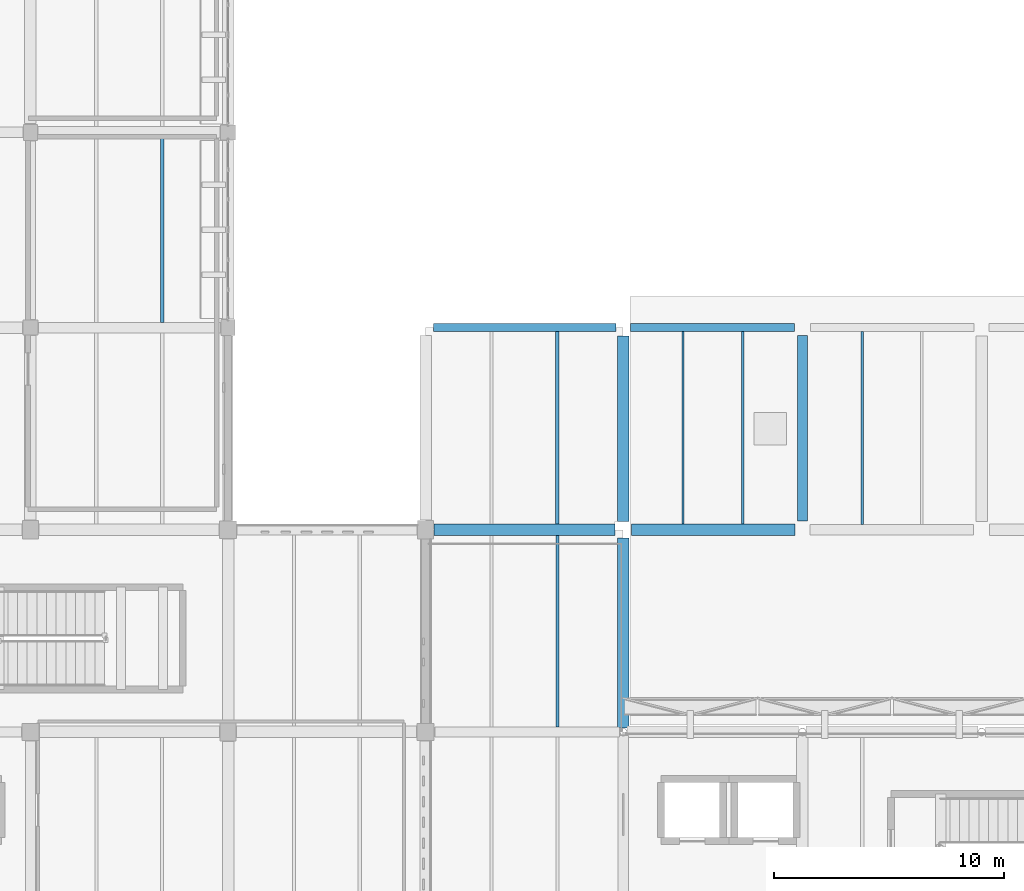
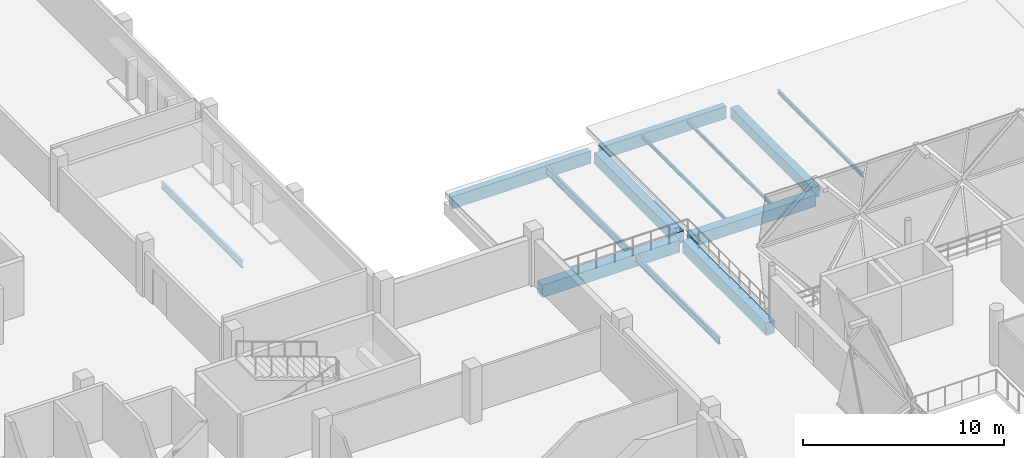
# One storey, part 19 of 93: 13 beams.
"""IFC4 building model written with IfcOpenShell, lengths in metres."""

from ifc_helpers import new_model, si_unit, direction, frame, origin, origin_2d, place, context, subcontext, project, spatial, rectangle, i_section, extrude, material, material_profile, profile_set, type_object, element, save


model = new_model("IFC4")

# Units and contexts
model_context = context("Model", 3, precision=1e-05, world=origin(), true_north=direction((0.0, 1.0)))
body_context = subcontext(model_context, "Body", "Model", "MODEL_VIEW")
ifc_project = project(units=[si_unit("LENGTHUNIT", "METRE"), si_unit("AREAUNIT", "SQUARE_METRE"), si_unit("VOLUMEUNIT", "CUBIC_METRE"), si_unit("PLANEANGLEUNIT", "RADIAN"), si_unit("MASSUNIT", "GRAM", prefix="KILO")], contexts=[model_context])

# Site, building, storey
site_placement = place(None, origin())
site = spatial("IfcSite", under=ifc_project, at=site_placement, CompositionType="ELEMENT")
building_placement = place(site_placement, origin())
building = spatial("IfcBuilding", under=site, at=building_placement, Name="Varnakota Cinema and Media Centre", CompositionType="ELEMENT")
storey_placement = place(building_placement, frame((0.0, 0.0, 12.0)))
storey = spatial("IfcBuildingStorey", under=building, at=storey_placement, Name="L03", CompositionType="ELEMENT", Elevation=12.0)

# Beams
ifc_material_1 = material(Name="Concrete M35", Category="concrete")
ifc_material_profile_1 = material_profile(ifc_material_1, rectangle(XDim=0.449951171875, YDim=0.64990234375, at=origin_2d()), Name="RCB 450x650")
ifc_profile_set_1 = profile_set([ifc_material_profile_1], Name="Concrete M35")
beam_type_1 = type_object("IfcBeamType", Name="BM-RC-450x650", PredefinedType="BEAM", material=ifc_profile_set_1)
beam_1_placement = place(storey_placement, frame((59.39990234375, 35.574951171875, -0.5849609375), z_axis=(0.0, 1.0, 0.0), x_axis=(-1.0, 0.0, 0.0)))
element("IfcBeam", 1, at=beam_1_placement, inside=storey, type_object=beam_type_1, Name="L03 girder H/5-6", PredefinedType="BEAM", context=body_context, shape_type="SweptSolid", body=[
    extrude(rectangle(XDim=0.449951171875, YDim=0.64990234375, at=origin_2d()), origin(), (0.0, 0.0, 1.0), 8.074951171875),
])
ifc_material_2 = material(Name="Concrete M35", Category="concrete")
ifc_material_profile_2 = material_profile(ifc_material_2, rectangle(XDim=0.5, YDim=0.699951171875, at=origin_2d()), Name="RCB 500x700")
ifc_profile_set_2 = profile_set([ifc_material_profile_2], Name="Concrete M35")
beam_type_2 = type_object("IfcBeamType", Name="BM-RC-500x700", PredefinedType="BEAM", material=ifc_profile_set_2)
beam_2_placement = place(storey_placement, frame((51.949951171875, 35.199951171875, -0.610107421875), z_axis=(1.0, 0.0, 0.0), x_axis=(0.0, 1.0, 0.0)))
element("IfcBeam", 2, at=beam_2_placement, inside=storey, type_object=beam_type_2, Name="L03 girder G-H/5", PredefinedType="BEAM", context=body_context, shape_type="SweptSolid", body=[
    extrude(rectangle(XDim=0.5, YDim=0.699951171875, at=origin_2d()), origin(), (0.0, 0.0, 1.0), 7.125),
])
beam_3_placement = place(storey_placement, frame((51.60009765625, 35.550048828125, -0.610107421875), z_axis=(0.0, 1.0, 0.0), x_axis=(-1.0, 0.0, 0.0)))
element("IfcBeam", 3, at=beam_3_placement, inside=storey, type_object=beam_type_2, Name="L03 girder G/5-6", PredefinedType="BEAM", context=body_context, shape_type="SweptSolid", body=[
    extrude(rectangle(XDim=0.5, YDim=0.699951171875, at=origin_2d()), origin(), (0.0, 0.0, 1.0), 8.074951171875),
])
ifc_material_3 = material(Name="Concrete M35", Category="concrete")
ifc_material_profile_3 = material_profile(ifc_material_3, rectangle(XDim=0.5, YDim=0.75, at=origin_2d()), Name="RCB 500x750")
ifc_profile_set_3 = profile_set([ifc_material_profile_3], Name="Concrete M35")
beam_type_3 = type_object("IfcBeamType", Name="BM-RC-500x750", PredefinedType="BEAM", material=ifc_profile_set_3)
beam_4_placement = place(storey_placement, frame((43.375, 35.199951171875, -0.635009765625), z_axis=(1.0, 0.0, 0.0), x_axis=(0.0, 1.0, 0.0)))
element("IfcBeam", 4, at=beam_4_placement, inside=storey, type_object=beam_type_3, Name="L03 girder F-G/5", PredefinedType="BEAM", context=body_context, shape_type="SweptSolid", body=[
    extrude(rectangle(XDim=0.5, YDim=0.75, at=origin_2d()), origin(), (0.0, 0.0, 1.0), 7.875),
])
beam_5_placement = place(storey_placement, frame((51.60009765625, 26.56201171875, -0.635009765625), z_axis=(0.0, 1.0, 0.0), x_axis=(-1.0, 0.0, 0.0)))
element("IfcBeam", 5, at=beam_5_placement, inside=storey, type_object=beam_type_3, Name="L03 girder G/4-5", PredefinedType="BEAM", context=body_context, shape_type="SweptSolid", body=[
    extrude(rectangle(XDim=0.5, YDim=0.75, at=origin_2d()), origin(), (0.0, 0.0, 1.0), 8.2880859375),
])
ifc_material_4 = material(Name="Concrete M40", Category="concrete")
ifc_material_profile_4 = material_profile(ifc_material_4, rectangle(XDim=0.35009765625, YDim=0.75, at=origin_2d()), Name="RCB 350x750")
ifc_profile_set_4 = profile_set([ifc_material_profile_4], Name="Concrete M40")
beam_type_4 = type_object("IfcBeamType", Name="BM-SP-350x750", PredefinedType="SPANDREL", material=ifc_profile_set_4)
beam_6_placement = place(storey_placement, frame((43.35009765625, 44.0, -0.635009765625), z_axis=(1.0, 0.0, 0.0), x_axis=(0.0, 1.0, 0.0)))
element("IfcBeam", 6, at=beam_6_placement, inside=storey, type_object=beam_type_4, Name="L03 girder F-G/6", PredefinedType="SPANDREL", context=body_context, shape_type="SweptSolid", body=[
    extrude(rectangle(XDim=0.35009765625, YDim=0.75, at=origin_2d()), origin(), (0.0, 0.0, 1.0), 7.9248046875),
])
beam_7_placement = place(storey_placement, frame((51.925048828125, 44.0, -0.635009765625), z_axis=(1.0, 0.0, 0.0), x_axis=(0.0, 1.0, 0.0)))
element("IfcBeam", 7, at=beam_7_placement, inside=storey, type_object=beam_type_4, Name="L03 girder G-H/6", PredefinedType="SPANDREL", context=body_context, shape_type="SweptSolid", body=[
    extrude(rectangle(XDim=0.35009765625, YDim=0.75, at=origin_2d()), origin(), (0.0, 0.0, 1.0), 7.125),
])
ifc_material_5 = material(Name="Structural steel Grade 350 (E350)", Category="steel")
ifc_material_profile_5 = material_profile(ifc_material_5, i_section(OverallWidth=0.10009765625, OverallDepth=0.199951171875, WebThickness=0.005615234375, FlangeThickness=0.0107421875, FilletRadius=0.010986328125, at=origin_2d()), Name="ISMB 200")
ifc_profile_set_5 = profile_set([ifc_material_profile_5], Name="Structural steel Grade 350 (E350)")
beam_type_5 = type_object("IfcBeamType", Name="BM-ST-ISMB200", PredefinedType="JOIST", material=ifc_profile_set_5)
for number, where, z_axis, x_axis, name in (
    (8, (54.199951171875, 35.449951171875, -0.360107421875), (0.0, 1.0, 0.0), (-1.0, 0.0, 0.0), "L03 steel joist G-H/5-6 #1"),
    (9, (56.800048828125, 35.449951171875, -0.360107421875), (0.0, 1.0, 0.0), (-1.0, 0.0, 0.0), "L03 steel joist G-H/5-6 #2"),
):
    element("IfcBeam", number, at=place(storey_placement, frame(where, z_axis=z_axis, x_axis=x_axis)), inside=storey, type_object=beam_type_5, Name=name, PredefinedType="JOIST", context=body_context, shape_type="SweptSolid", body=[
        extrude(i_section(OverallWidth=0.10009765625, OverallDepth=0.199951171875, WebThickness=0.005615234375, FlangeThickness=0.0107421875, FilletRadius=0.010986328125, at=origin_2d()), origin(), (0.0, 0.0, 1.0), 8.375),
    ])
ifc_material_6 = material(Name="Structural steel Grade 350 (E350)", Category="steel")
ifc_material_profile_6 = material_profile(ifc_material_6, i_section(OverallWidth=0.110107421875, OverallDepth=0.22509765625, WebThickness=0.006591796875, FlangeThickness=0.01171875, FilletRadius=0.011962890625, at=origin_2d()), Name="ISMB 225")
ifc_profile_set_6 = profile_set([ifc_material_profile_6], Name="Structural steel Grade 350 (E350)")
beam_type_6 = type_object("IfcBeamType", Name="BM-ST-ISMB225", PredefinedType="JOIST", material=ifc_profile_set_6)
beam_8_placement = place(storey_placement, frame((62.0, 35.425048828125, -0.37255859375), z_axis=(0.0, 1.0, 0.0), x_axis=(-1.0, 0.0, 0.0)))
element("IfcBeam", 10, at=beam_8_placement, inside=storey, type_object=beam_type_6, Name="L03 steel joist H-J/5-6 #1", PredefinedType="JOIST", context=body_context, shape_type="SweptSolid", body=[
    extrude(i_section(OverallWidth=0.110107421875, OverallDepth=0.22509765625, WebThickness=0.006591796875, FlangeThickness=0.01171875, FilletRadius=0.011962890625, at=origin_2d()), origin(), (0.0, 0.0, 1.0), 8.39990234375),
])
ifc_material_7 = material(Name="Structural steel Grade 350 (E350)", Category="steel")
ifc_material_profile_7 = material_profile(ifc_material_7, i_section(OverallWidth=0.139892578125, OverallDepth=0.39990234375, WebThickness=0.0087890625, FlangeThickness=0.01611328125, FilletRadius=0.013916015625, at=origin_2d()), Name="ISMB 400")
ifc_profile_set_7 = profile_set([ifc_material_profile_7], Name="Structural steel Grade 350 (E350)")
beam_type_7 = type_object("IfcBeamType", Name="BM-ST-ISMB400", PredefinedType="JOIST", material=ifc_profile_set_7)
beam_9_placement = place(storey_placement, frame((31.533203125, 44.22509765625, -0.4599609375), z_axis=(0.0, 1.0, 0.0), x_axis=(-1.0, 0.0, 0.0)))
element("IfcBeam", 11, at=beam_9_placement, inside=storey, type_object=beam_type_7, Name="L03 steel joist D-E/6-7 #2", PredefinedType="JOIST", context=body_context, shape_type="SweptSolid", body=[
    extrude(i_section(OverallWidth=0.139892578125, OverallDepth=0.39990234375, WebThickness=0.0087890625, FlangeThickness=0.01611328125, FilletRadius=0.013916015625, at=origin_2d()), origin(), (0.0, 0.0, 1.0), 8.02490234375),
])
beam_10_placement = place(storey_placement, frame((48.7333984375, 26.625, -0.4599609375), z_axis=(0.0, 1.0, 0.0), x_axis=(-1.0, 0.0, 0.0)))
element("IfcBeam", 12, at=beam_10_placement, inside=storey, type_object=beam_type_7, Name="L03 steel joist F-G/4-5 #2", PredefinedType="JOIST", context=body_context, shape_type="SweptSolid", body=[
    extrude(i_section(OverallWidth=0.139892578125, OverallDepth=0.39990234375, WebThickness=0.0087890625, FlangeThickness=0.01611328125, FilletRadius=0.013916015625, at=origin_2d()), origin(), (0.0, 0.0, 1.0), 8.324951171875),
])
ifc_material_8 = material(Name="Structural steel Grade 350 (E350)", Category="steel")
ifc_material_profile_8 = material_profile(ifc_material_8, i_section(OverallWidth=0.14990234375, OverallDepth=0.449951171875, WebThickness=0.009521484375, FlangeThickness=0.017333984375, FilletRadius=0.014892578125, at=origin_2d()), Name="ISMB 450")
ifc_profile_set_8 = profile_set([ifc_material_profile_8], Name="Structural steel Grade 350 (E350)")
beam_type_8 = type_object("IfcBeamType", Name="BM-ST-ISMB450", PredefinedType="BEAM", material=ifc_profile_set_8)
beam_11_placement = place(storey_placement, frame((48.7333984375, 35.449951171875, -0.485107421875), z_axis=(0.0, 1.0, 0.0), x_axis=(-1.0, 0.0, 0.0)))
element("IfcBeam", 13, at=beam_11_placement, inside=storey, type_object=beam_type_8, Name="L03 steel joist F-G/5-6 #2", PredefinedType="BEAM", context=body_context, shape_type="SweptSolid", body=[
    extrude(i_section(OverallWidth=0.14990234375, OverallDepth=0.449951171875, WebThickness=0.009521484375, FlangeThickness=0.017333984375, FilletRadius=0.014892578125, at=origin_2d()), origin(), (0.0, 0.0, 1.0), 8.375),
])

save(model, "model.ifc")
